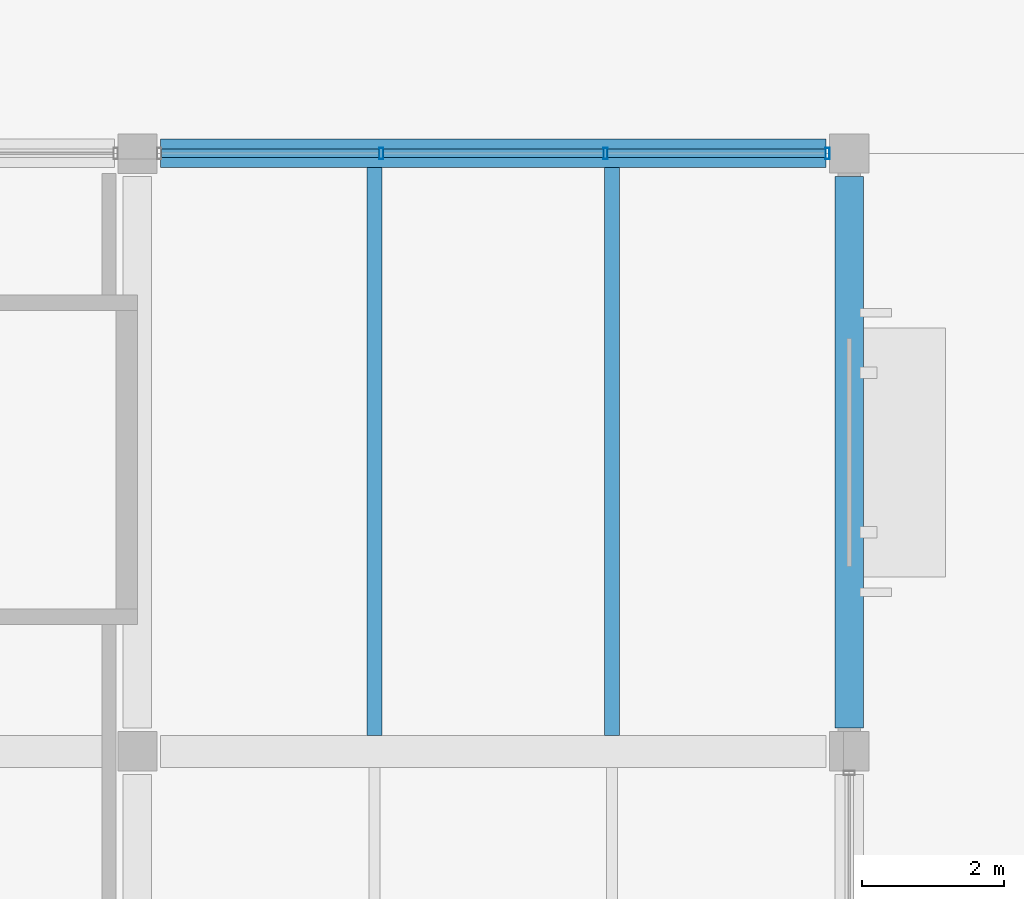
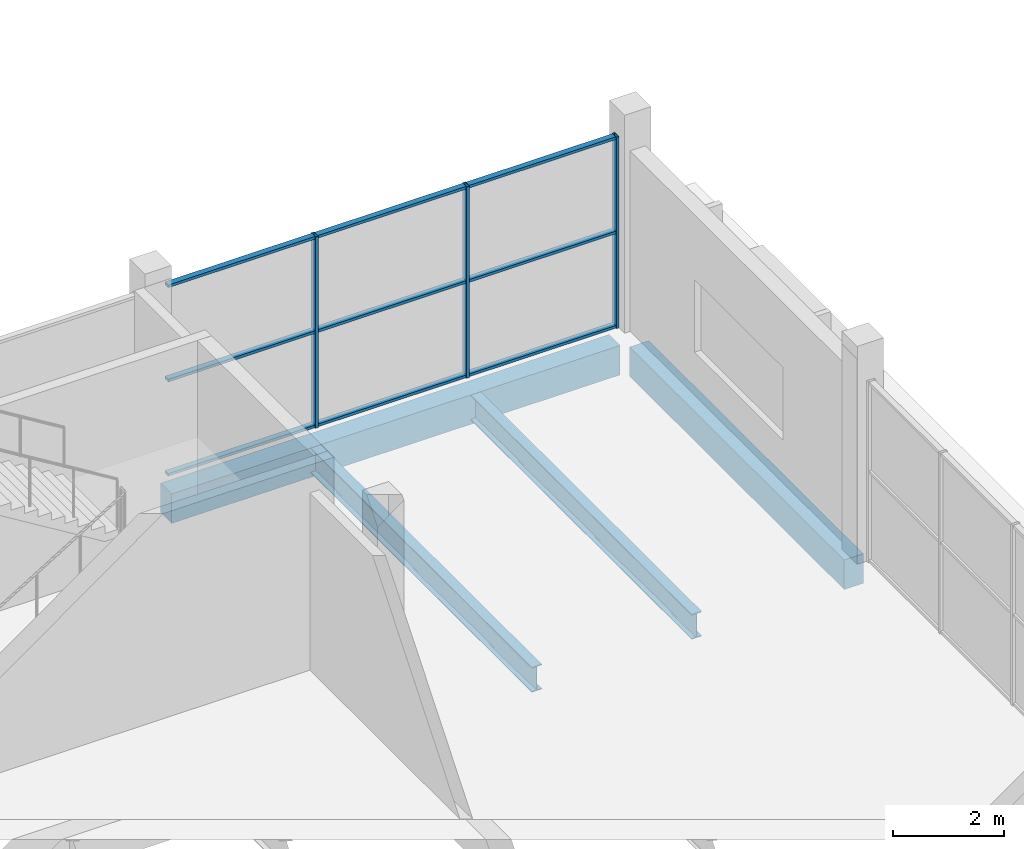
# One storey, part 81 of 130: 12 members, 4 beams, 1 element without a shape of its own.
"""IFC4 building model written with IfcOpenShell, lengths in metres."""

from ifc_helpers import new_model, si_unit, direction, frame, origin, origin_2d, place, context, subcontext, project, spatial, rectangle, hollow_rectangle, i_section, extrude, material, material_profile, profile_set, type_object, element, aggregate, save


model = new_model("IFC4")

# Units and contexts
model_context = context("Model", 3, precision=1e-05, world=origin(), true_north=direction((0.0, 1.0)))
body_context = subcontext(model_context, "Body", "Model", "MODEL_VIEW")
ifc_project = project(units=[si_unit("LENGTHUNIT", "METRE"), si_unit("AREAUNIT", "SQUARE_METRE"), si_unit("VOLUMEUNIT", "CUBIC_METRE"), si_unit("PLANEANGLEUNIT", "RADIAN"), si_unit("MASSUNIT", "GRAM", prefix="KILO"), si_unit("THERMODYNAMICTEMPERATUREUNIT", "KELVIN")], contexts=[model_context])

# Site, building, storey
site_placement = place(None, origin())
site = spatial("IfcSite", under=ifc_project, at=site_placement, CompositionType="ELEMENT")
building_placement = place(site_placement, origin())
building = spatial("IfcBuilding", under=site, at=building_placement, Name="Nduvali Passage Aquatics Centre", CompositionType="ELEMENT")
storey_placement = place(building_placement, origin())
storey = spatial("IfcBuildingStorey", under=building, at=storey_placement, Name="L00", CompositionType="ELEMENT", Elevation=0.0)

# Curtain wall, members
ifc_material_1 = material(Name="Aluminium EN AW-6063 T6", Category="aluminium")
curtain_wall_type = type_object("IfcCurtainWallType", Name="ENV-CW-PASS", PredefinedType="NOTDEFINED", material=ifc_material_1)
curtain_wall_placement = place(storey_placement, origin())
curtain_wall = element("IfcCurtainWall", 1, at=curtain_wall_placement, inside=storey, type_object=curtain_wall_type, Name="L00 North Cafe CW 097", PredefinedType="NOTDEFINED")
ifc_material_profile_1 = material_profile(ifc_material_1, hollow_rectangle(XDim=0.06005859375, YDim=0.159912109375, WallThickness=0.00390625, at=origin_2d()), Name="ALU MULLION 60x160x4")
ifc_profile_set_1 = profile_set([ifc_material_profile_1], Name="Aluminium EN AW-6063 T6")
member_type_1 = type_object("IfcMemberType", Name="ENV-MEM-MUL60", PredefinedType="MULLION", material=ifc_profile_set_1)
member_1_placement = place(storey_placement, frame((161.425048828125, 92.39990234375, 0.0), z_axis=(0.0, 0.0, 1.0), x_axis=(1.0, 0.0, 0.0)))
member_1 = element("IfcMember", 2, at=member_1_placement, type_object=member_type_1, Name="North Cafe CW Mullion 2", PredefinedType="MULLION", context=body_context, shape_type="SweptSolid", body=[
    extrude(hollow_rectangle(XDim=0.06005859375, YDim=0.159912109375, WallThickness=0.00390625, at=origin_2d()), origin(), (0.0, 0.0, 1.0), 4.216064453125),
])
member_2_placement = place(storey_placement, frame((164.574951171875, 92.39990234375, 0.0), z_axis=(0.0, 0.0, 1.0), x_axis=(1.0, 0.0, 0.0)))
member_2 = element("IfcMember", 3, at=member_2_placement, type_object=member_type_1, Name="North Cafe CW Mullion 3", PredefinedType="MULLION", context=body_context, shape_type="SweptSolid", body=[
    extrude(hollow_rectangle(XDim=0.06005859375, YDim=0.159912109375, WallThickness=0.00390625, at=origin_2d()), origin(), (0.0, 0.0, 1.0), 4.216064453125),
])
member_3_placement = place(storey_placement, frame((167.695068359375, 92.39990234375, 0.0), z_axis=(0.0, 0.0, 1.0), x_axis=(1.0, 0.0, 0.0)))
member_3 = element("IfcMember", 4, at=member_3_placement, type_object=member_type_1, Name="North Cafe CW Mullion 4", PredefinedType="MULLION", context=body_context, shape_type="SweptSolid", body=[
    extrude(hollow_rectangle(XDim=0.06005859375, YDim=0.159912109375, WallThickness=0.00390625, at=origin_2d()), origin(), (0.0, 0.0, 1.0), 4.216064453125),
])
ifc_material_profile_2 = material_profile(ifc_material_1, hollow_rectangle(XDim=0.1201171875, YDim=0.06005859375, WallThickness=0.00390625, at=origin_2d()), Name="ALU TRANSOM 120x60x4")
ifc_profile_set_2 = profile_set([ifc_material_profile_2], Name="Aluminium EN AW-6063 T6")
member_type_2 = type_object("IfcMemberType", Name="ENV-MEM-TRN60", PredefinedType="USERDEFINED", material=ifc_profile_set_2)
member_4_placement = place(storey_placement, frame((158.3349609375, 92.39990234375, 0.030029296875), z_axis=(1.0, 0.0, 0.0), x_axis=(0.0, 1.0, 0.0)))
member_4 = element("IfcMember", 5, at=member_4_placement, type_object=member_type_2, Name="North Cafe CW Transom B1-R0", ObjectType="TRANSOM", PredefinedType="USERDEFINED", context=body_context, shape_type="SweptSolid", body=[
    extrude(hollow_rectangle(XDim=0.1201171875, YDim=0.06005859375, WallThickness=0.00390625, at=origin_2d()), origin(), (0.0, 0.0, 1.0), 3.06005859375),
])
member_5_placement = place(storey_placement, frame((158.3349609375, 92.39990234375, 2.10791015625), z_axis=(1.0, 0.0, 0.0), x_axis=(0.0, 1.0, 0.0)))
member_5 = element("IfcMember", 6, at=member_5_placement, type_object=member_type_2, Name="North Cafe CW Transom B1-R1", ObjectType="TRANSOM", PredefinedType="USERDEFINED", context=body_context, shape_type="SweptSolid", body=[
    extrude(hollow_rectangle(XDim=0.1201171875, YDim=0.06005859375, WallThickness=0.00390625, at=origin_2d()), origin(), (0.0, 0.0, 1.0), 3.06005859375),
])
member_6_placement = place(storey_placement, frame((158.3349609375, 92.39990234375, 4.18603515625), z_axis=(1.0, 0.0, 0.0), x_axis=(0.0, 1.0, 0.0)))
member_6 = element("IfcMember", 7, at=member_6_placement, type_object=member_type_2, Name="North Cafe CW Transom B1-R2", ObjectType="TRANSOM", PredefinedType="USERDEFINED", context=body_context, shape_type="SweptSolid", body=[
    extrude(hollow_rectangle(XDim=0.1201171875, YDim=0.06005859375, WallThickness=0.00390625, at=origin_2d()), origin(), (0.0, 0.0, 1.0), 3.06005859375),
])
member_7_placement = place(storey_placement, frame((161.455078125, 92.39990234375, 0.030029296875), z_axis=(1.0, 0.0, 0.0), x_axis=(0.0, 1.0, 0.0)))
member_7 = element("IfcMember", 8, at=member_7_placement, type_object=member_type_2, Name="North Cafe CW Transom B2-R0", ObjectType="TRANSOM", PredefinedType="USERDEFINED", context=body_context, shape_type="SweptSolid", body=[
    extrude(hollow_rectangle(XDim=0.1201171875, YDim=0.06005859375, WallThickness=0.00390625, at=origin_2d()), origin(), (0.0, 0.0, 1.0), 3.08984375),
])
member_8_placement = place(storey_placement, frame((161.455078125, 92.39990234375, 2.10791015625), z_axis=(1.0, 0.0, 0.0), x_axis=(0.0, 1.0, 0.0)))
member_8 = element("IfcMember", 9, at=member_8_placement, type_object=member_type_2, Name="North Cafe CW Transom B2-R1", ObjectType="TRANSOM", PredefinedType="USERDEFINED", context=body_context, shape_type="SweptSolid", body=[
    extrude(hollow_rectangle(XDim=0.1201171875, YDim=0.06005859375, WallThickness=0.00390625, at=origin_2d()), origin(), (0.0, 0.0, 1.0), 3.08984375),
])
member_9_placement = place(storey_placement, frame((161.455078125, 92.39990234375, 4.18603515625), z_axis=(1.0, 0.0, 0.0), x_axis=(0.0, 1.0, 0.0)))
member_9 = element("IfcMember", 10, at=member_9_placement, type_object=member_type_2, Name="North Cafe CW Transom B2-R2", ObjectType="TRANSOM", PredefinedType="USERDEFINED", context=body_context, shape_type="SweptSolid", body=[
    extrude(hollow_rectangle(XDim=0.1201171875, YDim=0.06005859375, WallThickness=0.00390625, at=origin_2d()), origin(), (0.0, 0.0, 1.0), 3.08984375),
])
member_10_placement = place(storey_placement, frame((164.60498046875, 92.39990234375, 0.030029296875), z_axis=(1.0, 0.0, 0.0), x_axis=(0.0, 1.0, 0.0)))
member_10 = element("IfcMember", 11, at=member_10_placement, type_object=member_type_2, Name="North Cafe CW Transom B3-R0", ObjectType="TRANSOM", PredefinedType="USERDEFINED", context=body_context, shape_type="SweptSolid", body=[
    extrude(hollow_rectangle(XDim=0.1201171875, YDim=0.06005859375, WallThickness=0.00390625, at=origin_2d()), origin(), (0.0, 0.0, 1.0), 3.06005859375),
])
member_11_placement = place(storey_placement, frame((164.60498046875, 92.39990234375, 2.10791015625), z_axis=(1.0, 0.0, 0.0), x_axis=(0.0, 1.0, 0.0)))
member_11 = element("IfcMember", 12, at=member_11_placement, type_object=member_type_2, Name="North Cafe CW Transom B3-R1", ObjectType="TRANSOM", PredefinedType="USERDEFINED", context=body_context, shape_type="SweptSolid", body=[
    extrude(hollow_rectangle(XDim=0.1201171875, YDim=0.06005859375, WallThickness=0.00390625, at=origin_2d()), origin(), (0.0, 0.0, 1.0), 3.06005859375),
])
member_12_placement = place(storey_placement, frame((164.60498046875, 92.39990234375, 4.18603515625), z_axis=(1.0, 0.0, 0.0), x_axis=(0.0, 1.0, 0.0)))
member_12 = element("IfcMember", 13, at=member_12_placement, type_object=member_type_2, Name="North Cafe CW Transom B3-R2", ObjectType="TRANSOM", PredefinedType="USERDEFINED", context=body_context, shape_type="SweptSolid", body=[
    extrude(hollow_rectangle(XDim=0.1201171875, YDim=0.06005859375, WallThickness=0.00390625, at=origin_2d()), origin(), (0.0, 0.0, 1.0), 3.06005859375),
])
aggregate(curtain_wall, [member_1, member_2, member_3, member_4, member_5, member_6, member_7, member_8, member_9, member_10, member_11, member_12])

# Beams
ifc_material_2 = material(Name="Steel S355", Category="steel")
ifc_material_profile_3 = material_profile(ifc_material_2, i_section(OverallWidth=0.2099609375, OverallDepth=0.550048828125, WebThickness=0.010986328125, FlangeThickness=0.01708984375, FilletRadius=0.02392578125, at=origin_2d()), Name="IPE 550")
ifc_profile_set_3 = profile_set([ifc_material_profile_3], Name="Steel S355")
beam_type_1 = type_object("IfcBeamType", Name="STR-JST-IPE550", PredefinedType="JOIST", material=ifc_profile_set_3)
for number, where, z_axis, x_axis, name in (
    (14, (161.333251953125, 84.22509765625, -0.5791015625), (0.0, 1.0, 0.0), (-1.0, 0.0, 0.0), "L00 Secondary Joist J5C-0394"),
    (15, (164.666748046875, 84.22509765625, -0.5791015625), (0.0, 1.0, 0.0), (-1.0, 0.0, 0.0), "L00 Secondary Joist J5C-0395"),
):
    element("IfcBeam", number, at=place(storey_placement, frame(where, z_axis=z_axis, x_axis=x_axis)), inside=storey, type_object=beam_type_1, Name=name, PredefinedType="JOIST", context=body_context, shape_type="SweptSolid", body=[
        extrude(i_section(OverallWidth=0.2099609375, OverallDepth=0.550048828125, WebThickness=0.010986328125, FlangeThickness=0.01708984375, FilletRadius=0.02392578125, at=origin_2d()), origin(), (0.0, 0.0, 1.0), 7.974853515625),
    ])
ifc_material_3 = material(Name="Concrete C40/50", Category="concrete")
ifc_material_profile_4 = material_profile(ifc_material_3, rectangle(XDim=0.39990234375, YDim=0.64990234375, at=origin_2d()), Name="RC 400x650")
ifc_profile_set_4 = profile_set([ifc_material_profile_4], Name="Concrete C40/50")
beam_type_2 = type_object("IfcBeamType", Name="STR-SPN-RC4065-EXT", PredefinedType="SPANDREL", material=ifc_profile_set_4)
beam_1_placement = place(storey_placement, frame((158.324951171875, 92.39990234375, -0.625), z_axis=(1.0, 0.0, 0.0), x_axis=(0.0, 1.0, 0.0)))
element("IfcBeam", 16, at=beam_1_placement, inside=storey, type_object=beam_type_2, Name="L00 Primary X-Girder SP1E-0094", PredefinedType="SPANDREL", context=body_context, shape_type="SweptSolid", body=[
    extrude(rectangle(XDim=0.39990234375, YDim=0.64990234375, at=origin_2d()), origin(), (0.0, 0.0, 1.0), 9.35009765625),
])
beam_2_placement = place(storey_placement, frame((168.0, 84.324951171875, -0.625), z_axis=(0.0, 1.0, 0.0), x_axis=(-1.0, 0.0, 0.0)))
element("IfcBeam", 17, at=beam_2_placement, inside=storey, type_object=beam_type_2, Name="L00 Primary Y-Girder SP1E-0254", PredefinedType="SPANDREL", context=body_context, shape_type="SweptSolid", body=[
    extrude(rectangle(XDim=0.39990234375, YDim=0.64990234375, at=origin_2d()), origin(), (0.0, 0.0, 1.0), 7.75),
])

save(model, "model.ifc")
